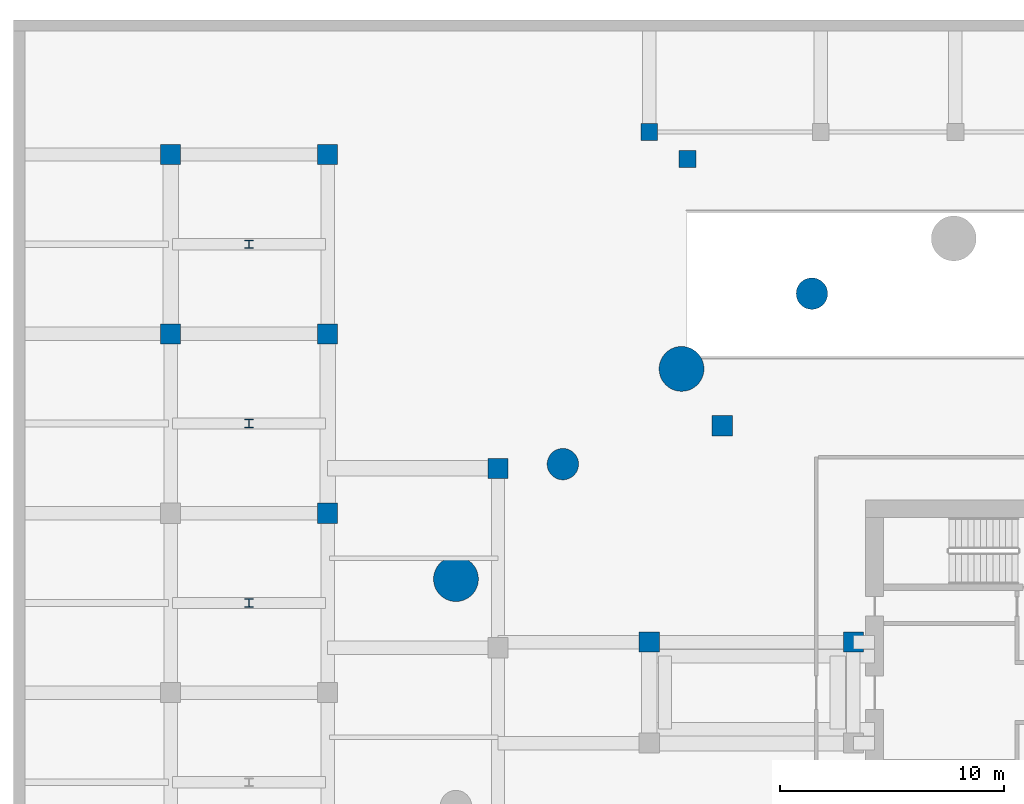
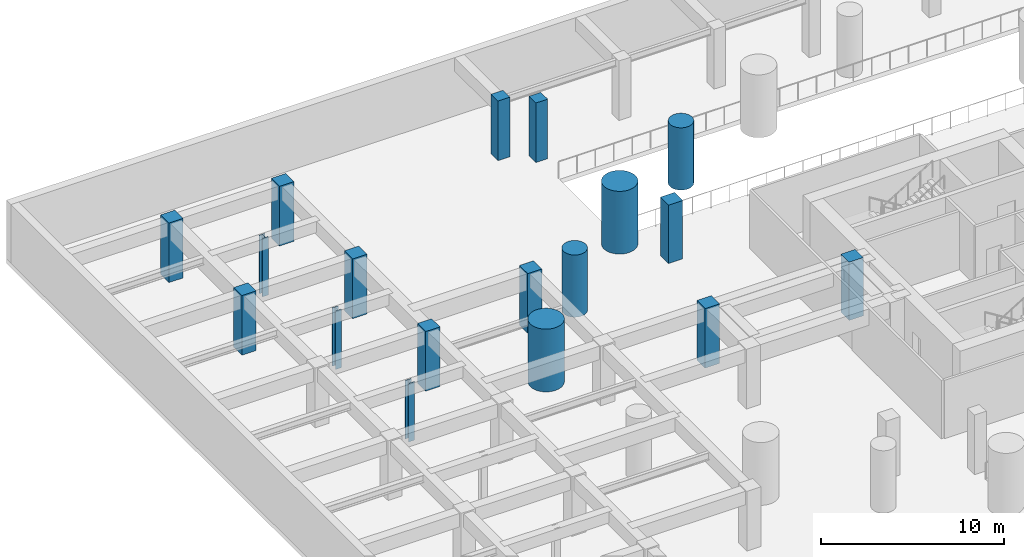
# One storey, part 3 of 10: 18 columns.
"""IFC4 building model written with IfcOpenShell, lengths in metres."""

from ifc_helpers import new_model, si_unit, direction, frame, origin, origin_2d, place, context, subcontext, project, spatial, rectangle, circle, i_section, extrude, source, transform, mapped, material, material_profile, profile_set, type_object, element, save


model = new_model("IFC4")

# Units and contexts
model_context = context("Model", 3, precision=1e-05, world=origin(), true_north=direction((0.0, 1.0)))
body_context = subcontext(model_context, "Body", "Model", "MODEL_VIEW")
ifc_project = project(units=[si_unit("LENGTHUNIT", "METRE"), si_unit("AREAUNIT", "SQUARE_METRE"), si_unit("VOLUMEUNIT", "CUBIC_METRE"), si_unit("PLANEANGLEUNIT", "RADIAN"), si_unit("MASSUNIT", "GRAM", prefix="KILO")], contexts=[model_context])

# Site, building, storey
site_placement = place(None, origin())
site = spatial("IfcSite", under=ifc_project, at=site_placement, CompositionType="ELEMENT")
building_placement = place(site_placement, origin())
building = spatial("IfcBuilding", under=site, at=building_placement, Name="Qafzar Sky-Pleat Residences", CompositionType="ELEMENT")
storey_placement = place(building_placement, frame((0.0, 0.0, -4.199951171875)))
storey = spatial("IfcBuildingStorey", under=building, at=storey_placement, Name="B01", CompositionType="ELEMENT", Elevation=-4.199951171875)

# Columns
ifc_material_1 = material(Name="Concrete C60/75", Category="concrete")
ifc_material_profile_1 = material_profile(ifc_material_1, circle(Radius=1.0, at=origin_2d()), Name="RC D2000")
ifc_profile_set_1 = profile_set([ifc_material_profile_1], Name="Concrete C60/75")
column_type_1 = type_object("IfcColumnType", Name="COL-STILT-D2000", PredefinedType="COLUMN", material=ifc_profile_set_1)
shared_shape_1 = source(origin(), body_context, "Body", "SweptSolid", [
    extrude(circle(Radius=1.0, at=origin_2d()), origin(), (0.0, 0.0, 1.0), 4.195068359375),
])
for number, where, z_axis, x_axis, name in (
    (1, (5.724609375, 31.062744140625, 0.0), (0.0, 0.0, 1.0), (1.0, 0.0, 0.0), "B01 Mega-Column STILT-01"),
    (2, (15.787353515625, 40.43798828125, 0.0), (0.0, 0.0, 1.0), (1.0, 0.0, 0.0), "B01 Mega-Column STILT-09"),
):
    element("IfcColumn", number, at=place(storey_placement, frame(where, z_axis=z_axis, x_axis=x_axis)), inside=storey, type_object=column_type_1, Name=name, PredefinedType="COLUMN", context=body_context, shape_type="MappedRepresentation", body=[
        mapped(shared_shape_1, transform((0.0, 0.0, 0.0), x_axis=(1.0, 0.0, 0.0), y_axis=(0.0, 1.0, 0.0), z_axis=(0.0, 0.0, 1.0), scale=1.0)),
    ])
ifc_material_profile_2 = material_profile(ifc_material_1, circle(Radius=0.699951171875, at=origin_2d()), Name="RC D1400")
ifc_profile_set_2 = profile_set([ifc_material_profile_2], Name="Concrete C60/75")
column_type_2 = type_object("IfcColumnType", Name="COL-MEGA-D1400", PredefinedType="COLUMN", material=ifc_profile_set_2)
shared_shape_2 = source(origin(), body_context, "Body", "SweptSolid", [
    extrude(circle(Radius=0.699951171875, at=origin_2d()), origin(), (0.0, 0.0, 1.0), 4.1572265625),
])
for number, where, z_axis, x_axis, name in (
    (3, (21.602783203125, 43.79541015625, 0.0), (0.0, 0.0, 1.0), (1.0, 0.0, 0.0), "B01 Branch Mega-Column STILT-BR-08"),
    (4, (10.493408203125, 36.190185546875, 0.0), (0.0, 0.0, 1.0), (1.0, 0.0, 0.0), "B01 Branch Mega-Column STILT-BR-09"),
):
    element("IfcColumn", number, at=place(storey_placement, frame(where, z_axis=z_axis, x_axis=x_axis)), inside=storey, type_object=column_type_2, Name=name, PredefinedType="COLUMN", context=body_context, shape_type="MappedRepresentation", body=[
        mapped(shared_shape_2, transform((0.0, 0.0, 0.0), x_axis=(1.0, 0.0, 0.0), y_axis=(0.0, 1.0, 0.0), z_axis=(0.0, 0.0, 1.0), scale=1.0)),
    ])
ifc_material_2 = material(Name="Steel S355", Category="steel")
ifc_material_profile_3 = material_profile(ifc_material_2, i_section(OverallWidth=0.3740234375, OverallDepth=0.3720703125, WebThickness=0.01611328125, FlangeThickness=0.02587890625, FilletRadius=0.014892578125, at=origin_2d()), Name="HD 360x196")
ifc_profile_set_3 = profile_set([ifc_material_profile_3], Name="Steel S355")
column_type_3 = type_object("IfcColumnType", Name="COL-STL-HD196", PredefinedType="PILASTER", material=ifc_profile_set_3)
shared_shape_3 = source(origin(), body_context, "Body", "SweptSolid", [
    extrude(i_section(OverallWidth=0.3740234375, OverallDepth=0.3720703125, WebThickness=0.01611328125, FlangeThickness=0.02587890625, FilletRadius=0.014892578125, at=origin_2d()), origin(), (0.0, 0.0, 1.0), 3.89990234375),
])
for number, where, z_axis, x_axis, name in (
    (5, (-3.5, 30.0, 0.0), (0.0, 0.0, 1.0), (1.0, 0.0, 0.0), "B01 West Basement Steel Post 4"),
    (6, (-3.5, 38.0, 0.0), (0.0, 0.0, 1.0), (1.0, 0.0, 0.0), "B01 West Basement Steel Post 5"),
    (7, (-3.5, 46.0, 0.0), (0.0, 0.0, 1.0), (1.0, 0.0, 0.0), "B01 West Basement Steel Post 6"),
):
    element("IfcColumn", number, at=place(storey_placement, frame(where, z_axis=z_axis, x_axis=x_axis)), inside=storey, type_object=column_type_3, Name=name, PredefinedType="PILASTER", context=body_context, shape_type="MappedRepresentation", body=[
        mapped(shared_shape_3, transform((0.0, 0.0, 0.0), x_axis=(1.0, 0.0, 0.0), y_axis=(0.0, 1.0, 0.0), z_axis=(0.0, 0.0, 1.0), scale=1.0)),
    ])
ifc_material_profile_4 = material_profile(ifc_material_1, rectangle(XDim=0.89990234375, YDim=0.89990234375, at=origin_2d()), Name="RC 900x900")
ifc_profile_set_4 = profile_set([ifc_material_profile_4], Name="Concrete C60/75")
column_type_4 = type_object("IfcColumnType", Name="COL-RC-900", PredefinedType="COLUMN", material=ifc_profile_set_4)
shared_shape_4 = source(origin(), body_context, "Body", "SweptSolid", [
    extrude(rectangle(XDim=0.89990234375, YDim=0.89990234375, at=origin_2d()), origin(), (0.0, 0.0, 1.0), 3.98486328125),
])
for number, where, z_axis, x_axis, name in (
    (8, (-7.0, 42.0, 0.0), (0.0, 0.0, 1.0), (1.0, 0.0, 0.0), "B01 Substructure Column 6"),
    (9, (-7.0, 50.0, 0.0), (0.0, 0.0, 1.0), (1.0, 0.0, 0.0), "B01 Substructure Column 7"),
    (10, (0.0, 34.0, 0.0), (0.0, 0.0, 1.0), (1.0, 0.0, 0.0), "B01 Substructure Column 12"),
    (11, (0.0, 42.0, 0.0), (0.0, 0.0, 1.0), (1.0, 0.0, 0.0), "B01 Substructure Column 13"),
    (12, (0.0, 50.0, 0.0), (0.0, 0.0, 1.0), (1.0, 0.0, 0.0), "B01 Substructure Column 14"),
    (13, (7.60009765625, 36.0, 0.0), (0.0, 0.0, 1.0), (1.0, 0.0, 0.0), "B01 Substructure Column 17"),
    (14, (14.35009765625, 28.25, 0.0), (0.0, 0.0, 1.0), (1.0, 0.0, 0.0), "B01 Substructure Column 23"),
):
    element("IfcColumn", number, at=place(storey_placement, frame(where, z_axis=z_axis, x_axis=x_axis)), inside=storey, type_object=column_type_4, Name=name, PredefinedType="COLUMN", context=body_context, shape_type="MappedRepresentation", body=[
        mapped(shared_shape_4, transform((0.0, 0.0, 0.0), x_axis=(1.0, 0.0, 0.0), y_axis=(0.0, 1.0, 0.0), z_axis=(0.0, 0.0, 1.0), scale=1.0)),
    ])
shared_shape_5 = source(origin(), body_context, "Body", "SweptSolid", [
    extrude(rectangle(XDim=0.89990234375, YDim=0.89990234375, at=origin_2d()), origin(), (0.0, 0.0, 1.0), 3.89990234375),
])
for number, where, z_axis, x_axis, name in (
    (15, (23.449951171875, 28.25, 0.0), (0.0, 0.0, 1.0), (1.0, 0.0, 0.0), "B01 Substructure Column 24"),
    (16, (17.60009765625, 37.89990234375, 0.0), (0.0, 0.0, 1.0), (1.0, 0.0, 0.0), "B01 Substructure Column 26"),
):
    element("IfcColumn", number, at=place(storey_placement, frame(where, z_axis=z_axis, x_axis=x_axis)), inside=storey, type_object=column_type_4, Name=name, PredefinedType="COLUMN", context=body_context, shape_type="MappedRepresentation", body=[
        mapped(shared_shape_5, transform((0.0, 0.0, 0.0), x_axis=(1.0, 0.0, 0.0), y_axis=(0.0, 1.0, 0.0), z_axis=(0.0, 0.0, 1.0), scale=1.0)),
    ])
ifc_material_profile_5 = material_profile(ifc_material_1, rectangle(XDim=0.75, YDim=0.75, at=origin_2d()), Name="RC 750x750")
ifc_profile_set_5 = profile_set([ifc_material_profile_5], Name="Concrete C60/75")
column_type_5 = type_object("IfcColumnType", Name="COL-RC-750", PredefinedType="COLUMN", material=ifc_profile_set_5)
shared_shape_6 = source(origin(), body_context, "Body", "SweptSolid", [
    extrude(rectangle(XDim=0.75, YDim=0.75, at=origin_2d()), origin(), (0.0, 0.0, 1.0), 3.98486328125),
])
for number, where, z_axis, x_axis, name in (
    (17, (16.050048828125, 49.800048828125, 0.0), (0.0, 0.0, 1.0), (1.0, 0.0, 0.0), "B01 Substructure Column 28"),
    (18, (14.35009765625, 51.0, 0.0), (0.0, 0.0, 1.0), (1.0, 0.0, 0.0), "B01 Substructure Column 36"),
):
    element("IfcColumn", number, at=place(storey_placement, frame(where, z_axis=z_axis, x_axis=x_axis)), inside=storey, type_object=column_type_5, Name=name, PredefinedType="COLUMN", context=body_context, shape_type="MappedRepresentation", body=[
        mapped(shared_shape_6, transform((0.0, 0.0, 0.0), x_axis=(1.0, 0.0, 0.0), y_axis=(0.0, 1.0, 0.0), z_axis=(0.0, 0.0, 1.0), scale=1.0)),
    ])

save(model, "model.ifc")
